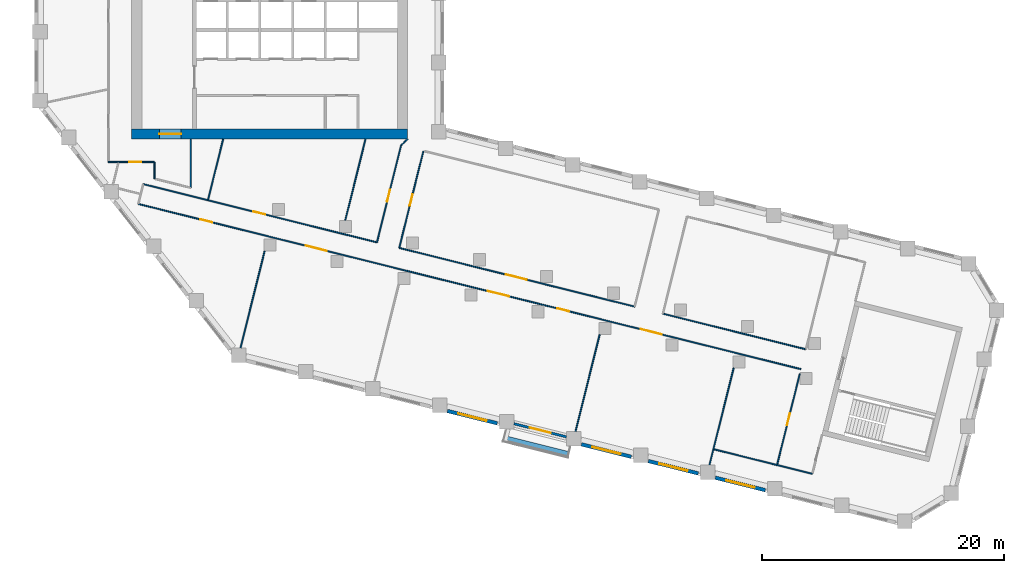
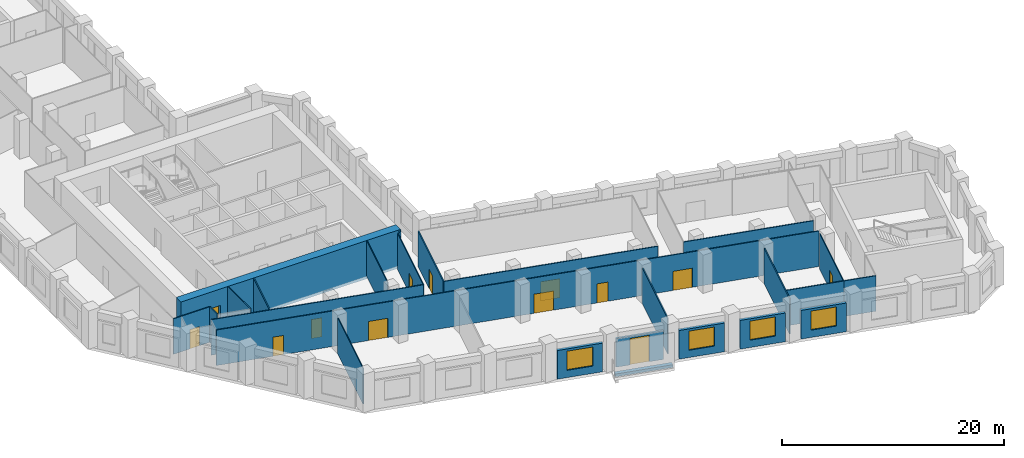
# One storey, part 3 of 10: 25 walls, 13 doors, 4 windows, 17 openings.
"""IFC4 building model written with IfcOpenShell, lengths in metres."""

from ifc_helpers import new_model, si_unit, direction, frame, frame_2d, origin, place, context, subcontext, project, spatial, rectangle, extrude, material, layer, layer_set, type_object, element, fill, save


model = new_model("IFC4")

# Units and contexts
model_context = context("Model", 3, precision=1e-05, world=origin(), true_north=direction((0.0, 1.0)))
body_context = subcontext(model_context, "Body", "Model", "MODEL_VIEW")
ifc_project = project(units=[si_unit("LENGTHUNIT", "METRE"), si_unit("AREAUNIT", "SQUARE_METRE"), si_unit("VOLUMEUNIT", "CUBIC_METRE"), si_unit("PLANEANGLEUNIT", "RADIAN"), si_unit("MASSUNIT", "GRAM", prefix="KILO")], contexts=[model_context])

# Site, building, storey
site_placement = place(None, origin())
site = spatial("IfcSite", under=ifc_project, at=site_placement, CompositionType="ELEMENT")
building_placement = place(site_placement, origin())
building = spatial("IfcBuilding", under=site, at=building_placement, Name="Meshkara Civic Tower", CompositionType="ELEMENT")
storey_placement = place(building_placement, frame((0.0, 0.0, 182.39990234375)))
storey = spatial("IfcBuildingStorey", under=building, at=storey_placement, Name="L41", CompositionType="ELEMENT", Elevation=182.39990234375)

# Wall, opening, door
ifc_material_1 = material(Name="Concrete C70", Category="concrete")
ifc_layer_1 = layer(ifc_material_1, 0.85009765625)
ifc_layer_set_1 = layer_set([ifc_layer_1], Name="Core ring wall 850 C70")
wall_type_1 = type_object("IfcWallType", Name="Core ring wall 850 C70", PredefinedType="SHEAR", material=ifc_layer_set_1)
wall_1_placement = place(storey_placement, frame((8.0, 14.52490234375, -0.2998046875), z_axis=(0.0, 0.0, 1.0), x_axis=(1.0, 0.0, 0.0)))
wall_1 = element("IfcWall", 1, at=wall_1_placement, inside=storey, type_object=wall_type_1, Name="L41-C001", PredefinedType="SHEAR", context=body_context, shape_type="SweptSolid", body=[
    extrude(rectangle(XDim=22.800048828125, YDim=0.85009765625, at=frame_2d((11.39990234375, 0.0))), origin(), (0.0, 0.0, 1.0), 4.199951171875),
])
opening_1_placement = place(wall_1_placement, frame((2.300048828125, 0.0, 0.300048828125)))
opening_1 = element("IfcOpeningElement", 2, at=opening_1_placement, cuts=wall_1, Name="Opening L41-K020", PredefinedType="OPENING", context=body_context, shape_type="SweptSolid", body=[
    extrude(rectangle(XDim=1.800048828125, YDim=2.10009765625, at=frame_2d((0.89990234375, 1.050048828125))), frame((0.0, 0.43505859375, 0.0), z_axis=(0.0, -1.0, 0.0), x_axis=(1.0, 0.0, 0.0)), (0.0, 0.0, 1.0), 0.8701171875),
])
ifc_material_2 = material(Name="Fire-rated door leaf in steel frame", Category="steel")
door_type_1 = type_object("IfcDoorType", Name="Core double door 1800 EI 60", OperationType="DOUBLE_DOOR_SINGLE_SWING", PredefinedType="DOOR", material=ifc_material_2)
door_1_placement = place(opening_1_placement, origin())
door_1 = element("IfcDoor", 3, at=door_1_placement, inside=storey, type_object=door_type_1, Name="L41-K020", OperationType="DOUBLE_DOOR_SINGLE_SWING", OverallHeight=2.10009765625, OverallWidth=1.800048828125, PredefinedType="DOOR", context=body_context, shape_type="SweptSolid", body=[
    extrude(rectangle(XDim=1.800048828125, YDim=2.10009765625, at=frame_2d((0.89990234375, 1.050048828125))), frame((0.0, 0.02490234375, 0.0), z_axis=(0.0, -1.0, 0.0), x_axis=(1.0, 0.0, 0.0)), (0.0, 0.0, 1.0), 0.050048828125),
])
fill(opening_1, door_1)

ifc_material_3 = material(Name="Corridor wall 100")
ifc_layer_2 = layer(ifc_material_3, 0.10009765625)
ifc_layer_set_2 = layer_set([ifc_layer_2], Name="Corridor wall 100")
wall_type_2 = type_object("IfcWallType", Name="Corridor wall 100", PredefinedType="PARTITIONING", material=ifc_layer_set_2)
wall_2_placement = place(storey_placement, frame((6.10009765625, 12.199951171875, 0.0), z_axis=(0.0, 0.0, 1.0), x_axis=(1.0, 0.0, 0.0)))
wall_2 = element("IfcWall", 4, at=wall_2_placement, inside=storey, type_object=wall_type_2, Name="L41-W005", PredefinedType="PARTITIONING", context=body_context, shape_type="SweptSolid", body=[
    extrude(rectangle(XDim=3.7998046875, YDim=0.10009765625, at=frame_2d((1.89990234375, 0.0))), origin(), (0.0, 0.0, 1.0), 3.900146484375),
])
opening_2_placement = place(wall_2_placement, frame((1.701904296875, 0.0, 0.0)))
opening_2 = element("IfcOpeningElement", 5, at=opening_2_placement, cuts=wall_2, Name="Opening L41-D015", PredefinedType="OPENING", context=body_context, shape_type="SweptSolid", body=[
    extrude(rectangle(XDim=1.0, YDim=2.10009765625, at=frame_2d((0.5, 1.050048828125))), frame((0.0, 0.06005859375, 0.0), z_axis=(0.0, -1.0, 0.0), x_axis=(1.0, 0.0, 0.0)), (0.0, 0.0, 1.0), 0.1201171875),
])
ifc_material_4 = material(Name="Door 1000 x 2100")
door_type_2 = type_object("IfcDoorType", Name="Door 1000 x 2100", OperationType="SINGLE_SWING_LEFT", PredefinedType="DOOR", material=ifc_material_4)
door_2_placement = place(opening_2_placement, origin())
door_2 = element("IfcDoor", 6, at=door_2_placement, inside=storey, type_object=door_type_2, Name="L41-D015", OperationType="SINGLE_SWING_RIGHT", OverallHeight=2.10009765625, OverallWidth=1.0, PredefinedType="DOOR", context=body_context, shape_type="SweptSolid", body=[
    extrude(rectangle(XDim=1.0, YDim=2.10009765625, at=frame_2d((0.5, 1.050048828125))), frame((0.0, 0.02490234375, 0.0), z_axis=(0.0, -1.0, 0.0), x_axis=(1.0, 0.0, 0.0)), (0.0, 0.0, 1.0), 0.050048828125),
])
fill(opening_2, door_2)

# Wall, openings, doors
wall_3_placement = place(storey_placement, frame((8.56494140625, 8.743896484375, 0.0), z_axis=(0.0, 0.0, 1.0), x_axis=(0.97029693432, -0.24191705035, 0.0)))
wall_3 = element("IfcWall", 7, at=wall_3_placement, inside=storey, type_object=wall_type_2, Name="L41-W006", PredefinedType="PARTITIONING", context=body_context, shape_type="SweptSolid", body=[
    extrude(rectangle(XDim=56.37451171875, YDim=0.10009765625, at=frame_2d((28.187255859375, 0.0))), origin(), (0.0, 0.0, 1.0), 3.900146484375),
])
opening_3_placement = place(wall_3_placement, frame((42.739013671875, 0.0, 0.0)))
opening_3 = element("IfcOpeningElement", 8, at=opening_3_placement, cuts=wall_3, Name="Opening L41-D003", PredefinedType="OPENING", context=body_context, shape_type="SweptSolid", body=[
    extrude(rectangle(XDim=1.800048828125, YDim=2.10009765625, at=frame_2d((0.89990234375, 1.050048828125))), frame((0.0, 0.06005859375, 0.0), z_axis=(0.0, -1.0, 0.0), x_axis=(1.0, 0.0, 0.0)), (0.0, 0.0, 1.0), 0.1201171875),
])
opening_4_placement = place(wall_3_placement, frame((14.239013671875, 0.0, 0.0)))
opening_4 = element("IfcOpeningElement", 9, at=opening_4_placement, cuts=wall_3, Name="Opening L41-D004", PredefinedType="OPENING", context=body_context, shape_type="SweptSolid", body=[
    extrude(rectangle(XDim=1.800048828125, YDim=2.10009765625, at=frame_2d((0.89990234375, 1.050048828125))), frame((0.0, 0.06005859375, 0.0), z_axis=(0.0, -1.0, 0.0), x_axis=(1.0, 0.0, 0.0)), (0.0, 0.0, 1.0), 0.1201171875),
])
opening_5_placement = place(wall_3_placement, frame((29.739990234375, 0.0, 0.0)))
opening_5 = element("IfcOpeningElement", 10, at=opening_5_placement, cuts=wall_3, Name="Opening L41-D005", PredefinedType="OPENING", context=body_context, shape_type="SweptSolid", body=[
    extrude(rectangle(XDim=1.800048828125, YDim=2.10009765625, at=frame_2d((0.89990234375, 1.050048828125))), frame((0.0, 0.06005859375, 0.0), z_axis=(0.0, -1.0, 0.0), x_axis=(1.0, 0.0, 0.0)), (0.0, 0.0, 1.0), 0.1201171875),
])
opening_6_placement = place(wall_3_placement, frame((35.639892578125, 0.0, 0.0)))
opening_6 = element("IfcOpeningElement", 11, at=opening_6_placement, cuts=wall_3, Name="Opening L41-D007", PredefinedType="OPENING", context=body_context, shape_type="SweptSolid", body=[
    extrude(rectangle(XDim=1.0, YDim=2.10009765625, at=frame_2d((0.5, 1.050048828125))), frame((0.0, 0.06005859375, 0.0), z_axis=(0.0, -1.0, 0.0), x_axis=(1.0, 0.0, 0.0)), (0.0, 0.0, 1.0), 0.1201171875),
])
opening_7_placement = place(wall_3_placement, frame((5.280029296875, 0.0, 0.0)))
opening_7 = element("IfcOpeningElement", 12, at=opening_7_placement, cuts=wall_3, Name="Opening L41-D009", PredefinedType="OPENING", context=body_context, shape_type="SweptSolid", body=[
    extrude(rectangle(XDim=1.0, YDim=2.10009765625, at=frame_2d((0.5, 1.050048828125))), frame((0.0, 0.06005859375, 0.0), z_axis=(0.0, -1.0, 0.0), x_axis=(1.0, 0.0, 0.0)), (0.0, 0.0, 1.0), 0.1201171875),
])
door_3_placement = place(opening_6_placement, origin())
door_3 = element("IfcDoor", 13, at=door_3_placement, inside=storey, type_object=door_type_2, Name="L41-D007", OperationType="SINGLE_SWING_LEFT", OverallHeight=2.10009765625, OverallWidth=1.0, PredefinedType="DOOR", context=body_context, shape_type="SweptSolid", body=[
    extrude(rectangle(XDim=1.0, YDim=2.10009765625, at=frame_2d((0.5, 1.050048828125))), frame((0.0, 0.02490234375, 0.0), z_axis=(0.0, -1.0, 0.0), x_axis=(1.0, 0.0, 0.0)), (0.0, 0.0, 1.0), 0.050048828125),
])
fill(opening_6, door_3)
door_4_placement = place(opening_7_placement, origin())
door_4 = element("IfcDoor", 14, at=door_4_placement, inside=storey, type_object=door_type_2, Name="L41-D009", OperationType="SINGLE_SWING_LEFT", OverallHeight=2.10009765625, OverallWidth=1.0, PredefinedType="DOOR", context=body_context, shape_type="SweptSolid", body=[
    extrude(rectangle(XDim=1.0, YDim=2.10009765625, at=frame_2d((0.5, 1.050048828125))), frame((0.0, 0.02490234375, 0.0), z_axis=(0.0, -1.0, 0.0), x_axis=(1.0, 0.0, 0.0)), (0.0, 0.0, 1.0), 0.050048828125),
])
fill(opening_7, door_4)
ifc_material_5 = material(Name="Door pair 1800 x 2100")
door_type_3 = type_object("IfcDoorType", Name="Door pair 1800 x 2100", OperationType="SINGLE_SWING_LEFT", PredefinedType="DOOR", material=ifc_material_5)
door_5_placement = place(opening_3_placement, origin())
door_5 = element("IfcDoor", 15, at=door_5_placement, inside=storey, type_object=door_type_3, Name="L41-D003", OperationType="DOUBLE_DOOR_SINGLE_SWING", OverallHeight=2.10009765625, OverallWidth=1.800048828125, PredefinedType="DOOR", context=body_context, shape_type="SweptSolid", body=[
    extrude(rectangle(XDim=1.800048828125, YDim=2.10009765625, at=frame_2d((0.89990234375, 1.050048828125))), frame((0.0, 0.02490234375, 0.0), z_axis=(0.0, -1.0, 0.0), x_axis=(1.0, 0.0, 0.0)), (0.0, 0.0, 1.0), 0.050048828125),
])
fill(opening_3, door_5)
door_6_placement = place(opening_4_placement, origin())
door_6 = element("IfcDoor", 16, at=door_6_placement, inside=storey, type_object=door_type_3, Name="L41-D004", OperationType="DOUBLE_DOOR_SINGLE_SWING", OverallHeight=2.10009765625, OverallWidth=1.800048828125, PredefinedType="DOOR", context=body_context, shape_type="SweptSolid", body=[
    extrude(rectangle(XDim=1.800048828125, YDim=2.10009765625, at=frame_2d((0.89990234375, 1.050048828125))), frame((0.0, 0.02490234375, 0.0), z_axis=(0.0, -1.0, 0.0), x_axis=(1.0, 0.0, 0.0)), (0.0, 0.0, 1.0), 0.050048828125),
])
fill(opening_4, door_6)
door_7_placement = place(opening_5_placement, origin())
door_7 = element("IfcDoor", 17, at=door_7_placement, inside=storey, type_object=door_type_3, Name="L41-D005", OperationType="DOUBLE_DOOR_SINGLE_SWING", OverallHeight=2.10009765625, OverallWidth=1.800048828125, PredefinedType="DOOR", context=body_context, shape_type="SweptSolid", body=[
    extrude(rectangle(XDim=1.800048828125, YDim=2.10009765625, at=frame_2d((0.89990234375, 1.050048828125))), frame((0.0, 0.02490234375, 0.0), z_axis=(0.0, -1.0, 0.0), x_axis=(1.0, 0.0, 0.0)), (0.0, 0.0, 1.0), 0.050048828125),
])
fill(opening_5, door_7)

# Wall, opening, door
wall_4_placement = place(storey_placement, frame((8.972900390625, 10.382080078125, 0.0), z_axis=(0.0, 0.0, 1.0), x_axis=(0.970286808807, -0.241957658808, 0.0)))
wall_4 = element("IfcWall", 18, at=wall_4_placement, inside=storey, type_object=wall_type_2, Name="L41-W007", PredefinedType="PARTITIONING", context=body_context, shape_type="SweptSolid", body=[
    extrude(rectangle(XDim=19.879638671875, YDim=0.10009765625, at=frame_2d((9.93994140625, 0.0))), origin(), (0.0, 0.0, 1.0), 3.900146484375),
])
opening_8_placement = place(wall_4_placement, frame((9.384033203125, 0.0, 0.0)))
opening_8 = element("IfcOpeningElement", 19, at=opening_8_placement, cuts=wall_4, Name="Opening L41-D010", PredefinedType="OPENING", context=body_context, shape_type="SweptSolid", body=[
    extrude(rectangle(XDim=1.0, YDim=2.10009765625, at=frame_2d((0.5, 1.050048828125))), frame((0.0, 0.06005859375, 0.0), z_axis=(0.0, -1.0, 0.0), x_axis=(1.0, 0.0, 0.0)), (0.0, 0.0, 1.0), 0.1201171875),
])
door_8_placement = place(opening_8_placement, origin())
door_8 = element("IfcDoor", 20, at=door_8_placement, inside=storey, type_object=door_type_2, Name="L41-D010", OperationType="SINGLE_SWING_LEFT", OverallHeight=2.10009765625, OverallWidth=1.0, PredefinedType="DOOR", context=body_context, shape_type="SweptSolid", body=[
    extrude(rectangle(XDim=1.0, YDim=2.10009765625, at=frame_2d((0.5, 1.050048828125))), frame((0.0, 0.02490234375, 0.0), z_axis=(0.0, -1.0, 0.0), x_axis=(1.0, 0.0, 0.0)), (0.0, 0.0, 1.0), 0.050048828125),
])
fill(opening_8, door_8)

# Walls
wall_5_placement = place(storey_placement, frame((9.89990234375, 12.199951171875, 0.0), z_axis=(0.0, 0.0, 1.0), x_axis=(0.0, -1.0, 0.0)))
element("IfcWall", 21, at=wall_5_placement, inside=storey, type_object=wall_type_2, Name="L41-W010", PredefinedType="PARTITIONING", context=body_context, shape_type="SweptSolid", body=[
    extrude(rectangle(XDim=1.3740234375, YDim=0.10009765625, at=frame_2d((0.68701171875, 0.0))), origin(), (0.0, 0.0, 1.0), 3.900146484375),
])
wall_6_placement = place(storey_placement, frame((12.89990234375, 10.077880859375, 0.0), z_axis=(0.0, 0.0, 1.0), x_axis=(0.0, 1.0, 0.0)))
element("IfcWall", 22, at=wall_6_placement, inside=storey, type_object=wall_type_2, Name="L41-W016", PredefinedType="PARTITIONING", context=body_context, shape_type="SweptSolid", body=[
    extrude(rectangle(XDim=4.022216796875, YDim=0.10009765625, at=frame_2d((2.01123046875, 0.0))), origin(), (0.0, 0.0, 1.0), 3.900146484375),
])

# Wall, opening, door
wall_7_placement = place(storey_placement, frame((30.10498046875, 5.113037109375, 0.0), z_axis=(0.0, 0.0, 1.0), x_axis=(0.241984285369, 0.970280168629, 0.0)))
wall_7 = element("IfcWall", 23, at=wall_7_placement, inside=storey, type_object=wall_type_2, Name="L41-W026", PredefinedType="PARTITIONING", context=body_context, shape_type="SweptSolid", body=[
    extrude(rectangle(XDim=8.231689453125, YDim=0.10009765625, at=frame_2d((4.11572265625, 0.0))), origin(), (0.0, 0.0, 1.0), 3.900146484375),
])
opening_9_placement = place(wall_7_placement, frame((3.580078125, 0.0, 0.0)))
opening_9 = element("IfcOpeningElement", 24, at=opening_9_placement, cuts=wall_7, Name="Opening L41-D012", PredefinedType="OPENING", context=body_context, shape_type="SweptSolid", body=[
    extrude(rectangle(XDim=1.0, YDim=2.10009765625, at=frame_2d((0.5, 1.050048828125))), frame((0.0, 0.06005859375, 0.0), z_axis=(0.0, -1.0, 0.0), x_axis=(1.0, 0.0, 0.0)), (0.0, 0.0, 1.0), 0.1201171875),
])
door_9_placement = place(opening_9_placement, origin())
door_9 = element("IfcDoor", 25, at=door_9_placement, inside=storey, type_object=door_type_2, Name="L41-D012", OperationType="SINGLE_SWING_RIGHT", OverallHeight=2.10009765625, OverallWidth=1.0, PredefinedType="DOOR", context=body_context, shape_type="SweptSolid", body=[
    extrude(rectangle(XDim=1.0, YDim=2.10009765625, at=frame_2d((0.5, 1.050048828125))), frame((0.0, 0.02490234375, 0.0), z_axis=(0.0, -1.0, 0.0), x_axis=(1.0, 0.0, 0.0)), (0.0, 0.0, 1.0), 0.050048828125),
])
fill(opening_9, door_9)

wall_8_placement = place(storey_placement, frame((30.259033203125, 13.5830078125, 0.0), z_axis=(0.0, 0.0, 1.0), x_axis=(-0.241888494143, -0.970304053584, 0.0)))
wall_8 = element("IfcWall", 26, at=wall_8_placement, inside=storey, type_object=wall_type_2, Name="L41-W027", PredefinedType="PARTITIONING", context=body_context, shape_type="SweptSolid", body=[
    extrude(rectangle(XDim=8.256103515625, YDim=0.10009765625, at=frame_2d((4.1279296875, 0.0))), origin(), (0.0, 0.0, 1.0), 3.900146484375),
])
opening_10_placement = place(wall_8_placement, frame((3.780029296875, 0.0, 0.0)))
opening_10 = element("IfcOpeningElement", 27, at=opening_10_placement, cuts=wall_8, Name="Opening L41-D011", PredefinedType="OPENING", context=body_context, shape_type="SweptSolid", body=[
    extrude(rectangle(XDim=1.0, YDim=2.10009765625, at=frame_2d((0.5, 1.050048828125))), frame((0.0, 0.06005859375, 0.0), z_axis=(0.0, -1.0, 0.0), x_axis=(1.0, 0.0, 0.0)), (0.0, 0.0, 1.0), 0.1201171875),
])
door_10_placement = place(opening_10_placement, origin())
door_10 = element("IfcDoor", 28, at=door_10_placement, inside=storey, type_object=door_type_2, Name="L41-D011", OperationType="SINGLE_SWING_LEFT", OverallHeight=2.10009765625, OverallWidth=1.0, PredefinedType="DOOR", context=body_context, shape_type="SweptSolid", body=[
    extrude(rectangle(XDim=1.0, YDim=2.10009765625, at=frame_2d((0.5, 1.050048828125))), frame((0.0, 0.02490234375, 0.0), z_axis=(0.0, -1.0, 0.0), x_axis=(1.0, 0.0, 0.0)), (0.0, 0.0, 1.0), 0.050048828125),
])
fill(opening_10, door_10)

# Wall
wall_9_placement = place(storey_placement, frame((30.800048828125, 14.10009765625, 0.0), z_axis=(0.0, 0.0, 1.0), x_axis=(-0.722911025189, -0.690941133281, 0.0)))
element("IfcWall", 29, at=wall_9_placement, inside=storey, type_object=wall_type_2, Name="L41-W028", PredefinedType="PARTITIONING", context=body_context, shape_type="SweptSolid", body=[
    extrude(rectangle(XDim=0.748291015625, YDim=0.10009765625, at=frame_2d((0.3740234375, 0.0))), origin(), (0.0, 0.0, 1.0), 3.900146484375),
])

# Wall, opening, door
wall_10_placement = place(storey_placement, frame((49.535888671875, 0.26806640625, 0.0), z_axis=(0.0, 0.0, 1.0), x_axis=(-0.970292195994, 0.241936054348, 0.0)))
wall_10 = element("IfcWall", 30, at=wall_10_placement, inside=storey, type_object=wall_type_2, Name="L41-W030", PredefinedType="PARTITIONING", context=body_context, shape_type="SweptSolid", body=[
    extrude(rectangle(XDim=20.02587890625, YDim=0.10009765625, at=frame_2d((10.012939453125, 0.0))), origin(), (0.0, 0.0, 1.0), 3.900146484375),
])
opening_11_placement = place(wall_10_placement, frame((9.179931640625, 0.0, 0.0)))
opening_11 = element("IfcOpeningElement", 31, at=opening_11_placement, cuts=wall_10, Name="Opening L41-D006", PredefinedType="OPENING", context=body_context, shape_type="SweptSolid", body=[
    extrude(rectangle(XDim=1.800048828125, YDim=2.10009765625, at=frame_2d((0.89990234375, 1.050048828125))), frame((0.0, 0.06005859375, 0.0), z_axis=(0.0, -1.0, 0.0), x_axis=(1.0, 0.0, 0.0)), (0.0, 0.0, 1.0), 0.1201171875),
])
door_11_placement = place(opening_11_placement, origin())
door_11 = element("IfcDoor", 32, at=door_11_placement, inside=storey, type_object=door_type_3, Name="L41-D006", OperationType="DOUBLE_DOOR_SINGLE_SWING", OverallHeight=2.10009765625, OverallWidth=1.800048828125, PredefinedType="DOOR", context=body_context, shape_type="SweptSolid", body=[
    extrude(rectangle(XDim=1.800048828125, YDim=2.10009765625, at=frame_2d((0.89990234375, 1.050048828125))), frame((0.0, 0.02490234375, 0.0), z_axis=(0.0, -1.0, 0.0), x_axis=(1.0, 0.0, 0.0)), (0.0, 0.0, 1.0), 0.050048828125),
])
fill(opening_11, door_11)

# Wall
wall_11_placement = place(storey_placement, frame((61.2919921875, -12.80810546875, 0.0), z_axis=(0.0, 0.0, 1.0), x_axis=(0.970290716908, -0.241941986192, 0.0)))
element("IfcWall", 33, at=wall_11_placement, inside=storey, type_object=wall_type_2, Name="L41-W034", PredefinedType="PARTITIONING", context=body_context, shape_type="SweptSolid", body=[
    extrude(rectangle(XDim=3.0, YDim=0.10009765625, at=frame_2d((1.5, 0.0))), origin(), (0.0, 0.0, 1.0), 3.900146484375),
])

# Wall, opening, door
wall_12_placement = place(storey_placement, frame((63.1689453125, -5.279052734375, 0.0), z_axis=(0.0, 0.0, 1.0), x_axis=(-0.241891494948, -0.970303305504, 0.0)))
wall_12 = element("IfcWall", 34, at=wall_12_placement, inside=storey, type_object=wall_type_2, Name="L41-W035", PredefinedType="PARTITIONING", context=body_context, shape_type="SweptSolid", body=[
    extrude(rectangle(XDim=7.759521484375, YDim=0.10009765625, at=frame_2d((3.8798828125, 0.0))), origin(), (0.0, 0.0, 1.0), 3.900146484375),
])
opening_12_placement = place(wall_12_placement, frame((3.3798828125, 0.0, 0.0)))
opening_12 = element("IfcOpeningElement", 35, at=opening_12_placement, cuts=wall_12, Name="Opening L41-D001", PredefinedType="OPENING", context=body_context, shape_type="SweptSolid", body=[
    extrude(rectangle(XDim=1.0, YDim=2.10009765625, at=frame_2d((0.5, 1.050048828125))), frame((0.0, 0.06005859375, 0.0), z_axis=(0.0, -1.0, 0.0), x_axis=(1.0, 0.0, 0.0)), (0.0, 0.0, 1.0), 0.1201171875),
])
door_12_placement = place(opening_12_placement, origin())
door_12 = element("IfcDoor", 36, at=door_12_placement, inside=storey, type_object=door_type_2, Name="L41-D001", OperationType="SINGLE_SWING_LEFT", OverallHeight=2.10009765625, OverallWidth=1.0, PredefinedType="DOOR", context=body_context, shape_type="SweptSolid", body=[
    extrude(rectangle(XDim=1.0, YDim=2.10009765625, at=frame_2d((0.5, 1.050048828125))), frame((0.0, 0.02490234375, 0.0), z_axis=(0.0, -1.0, 0.0), x_axis=(1.0, 0.0, 0.0)), (0.0, 0.0, 1.0), 0.050048828125),
])
fill(opening_12, door_12)

# Wall
wall_13_placement = place(storey_placement, frame((63.674072265625, -3.257080078125, 0.0), z_axis=(0.0, 0.0, 1.0), x_axis=(-0.970300413684, 0.241903094658, 0.0)))
element("IfcWall", 37, at=wall_13_placement, inside=storey, type_object=wall_type_2, Name="L41-W036", PredefinedType="PARTITIONING", context=body_context, shape_type="SweptSolid", body=[
    extrude(rectangle(XDim=12.170654296875, YDim=0.10009765625, at=frame_2d((6.08544921875, 0.0))), origin(), (0.0, 0.0, 1.0), 3.900146484375),
])

# Wall, opening, window
ifc_material_6 = material(Name="Insulated infill panel with bronze anodised aluminium cladding", Category="aluminium")
ifc_layer_3 = layer(ifc_material_6, 0.300048828125)
ifc_layer_set_3 = layer_set([ifc_layer_3], Name="EXTERNAL INFILL WALL 300")
wall_type_3 = type_object("IfcWallType", Name="EXTERNAL INFILL WALL 300", PredefinedType="SOLIDWALL", material=ifc_layer_set_3)
wall_14_placement = place(storey_placement, frame((34.075927734375, -8.342041015625, 0.0), z_axis=(0.0, 0.0, 1.0), x_axis=(0.970318118028, -0.241832069473, 0.0)))
wall_14 = element("IfcWall", 38, at=wall_14_placement, inside=storey, type_object=wall_type_3, Name="External wall", PredefinedType="SOLIDWALL", context=body_context, shape_type="SweptSolid", body=[
    extrude(rectangle(XDim=4.24609375, YDim=0.300048828125, at=frame_2d((2.123046875, 0.0))), origin(), (0.0, 0.0, 1.0), 3.150146484375),
])
opening_13_placement = place(wall_14_placement, frame((0.923095703125, 0.0, 0.800048828125)))
opening_13 = element("IfcOpeningElement", 39, at=opening_13_placement, cuts=wall_14, Name="Opening W7", PredefinedType="OPENING", context=body_context, shape_type="SweptSolid", body=[
    extrude(rectangle(XDim=2.39990234375, YDim=2.10009765625, at=frame_2d((1.199951171875, 1.050048828125))), frame((0.0, 0.159912109375, 0.0), z_axis=(0.0, -1.0, 0.0), x_axis=(1.0, 0.0, 0.0)), (0.0, 0.0, 1.0), 0.320068359375),
])
ifc_material_7 = material(Name="Tinted double glazing", Category="glass")
window_type = type_object("IfcWindowType", Name="WINDOW 2400x2100", PartitioningType="DOUBLE_PANEL_VERTICAL", PredefinedType="WINDOW", material=ifc_material_7)
window_1_placement = place(opening_13_placement, origin())
window_1 = element("IfcWindow", 40, at=window_1_placement, inside=storey, type_object=window_type, Name="Window", OverallHeight=2.10009765625, OverallWidth=2.39990234375, PartitioningType="DOUBLE_PANEL_VERTICAL", PredefinedType="WINDOW", context=body_context, shape_type="SweptSolid", body=[
    extrude(rectangle(XDim=2.39990234375, YDim=2.10009765625, at=frame_2d((1.199951171875, 1.050048828125))), frame((0.0, 0.030029296875, 0.0), z_axis=(0.0, -1.0, 0.0), x_axis=(1.0, 0.0, 0.0)), (0.0, 0.0, 1.0), 0.06005859375),
])
fill(opening_13, window_1)

wall_15_placement = place(storey_placement, frame((45.137939453125, -11.09912109375, 0.0), z_axis=(0.0, 0.0, 1.0), x_axis=(0.970304663212, -0.241886048688, 0.0)))
wall_15 = element("IfcWall", 41, at=wall_15_placement, inside=storey, type_object=wall_type_3, Name="External wall", PredefinedType="SOLIDWALL", context=body_context, shape_type="SweptSolid", body=[
    extrude(rectangle(XDim=4.2451171875, YDim=0.300048828125, at=frame_2d((2.12255859375, 0.0))), origin(), (0.0, 0.0, 1.0), 3.150146484375),
])
opening_14_placement = place(wall_15_placement, frame((0.922119140625, 0.0, 0.800048828125)))
opening_14 = element("IfcOpeningElement", 42, at=opening_14_placement, cuts=wall_15, Name="Opening W7", PredefinedType="OPENING", context=body_context, shape_type="SweptSolid", body=[
    extrude(rectangle(XDim=2.39990234375, YDim=2.10009765625, at=frame_2d((1.199951171875, 1.050048828125))), frame((0.0, 0.159912109375, 0.0), z_axis=(0.0, -1.0, 0.0), x_axis=(1.0, 0.0, 0.0)), (0.0, 0.0, 1.0), 0.320068359375),
])
window_2_placement = place(opening_14_placement, origin())
window_2 = element("IfcWindow", 43, at=window_2_placement, inside=storey, type_object=window_type, Name="Window", OverallHeight=2.10009765625, OverallWidth=2.39990234375, PartitioningType="DOUBLE_PANEL_VERTICAL", PredefinedType="WINDOW", context=body_context, shape_type="SweptSolid", body=[
    extrude(rectangle(XDim=2.39990234375, YDim=2.10009765625, at=frame_2d((1.199951171875, 1.050048828125))), frame((0.0, 0.030029296875, 0.0), z_axis=(0.0, -1.0, 0.0), x_axis=(1.0, 0.0, 0.0)), (0.0, 0.0, 1.0), 0.06005859375),
])
fill(opening_14, window_2)

wall_16_placement = place(storey_placement, frame((50.66796875, -12.47802734375, 0.0), z_axis=(0.0, 0.0, 1.0), x_axis=(0.970318118028, -0.241832069473, 0.0)))
wall_16 = element("IfcWall", 44, at=wall_16_placement, inside=storey, type_object=wall_type_3, Name="External wall", PredefinedType="SOLIDWALL", context=body_context, shape_type="SweptSolid", body=[
    extrude(rectangle(XDim=4.24609375, YDim=0.300048828125, at=frame_2d((2.123046875, 0.0))), origin(), (0.0, 0.0, 1.0), 3.150146484375),
])
opening_15_placement = place(wall_16_placement, frame((0.923095703125, 0.0, 0.800048828125)))
opening_15 = element("IfcOpeningElement", 45, at=opening_15_placement, cuts=wall_16, Name="Opening W7", PredefinedType="OPENING", context=body_context, shape_type="SweptSolid", body=[
    extrude(rectangle(XDim=2.39990234375, YDim=2.10009765625, at=frame_2d((1.199951171875, 1.050048828125))), frame((0.0, 0.159912109375, 0.0), z_axis=(0.0, -1.0, 0.0), x_axis=(1.0, 0.0, 0.0)), (0.0, 0.0, 1.0), 0.320068359375),
])
window_3_placement = place(opening_15_placement, origin())
window_3 = element("IfcWindow", 46, at=window_3_placement, inside=storey, type_object=window_type, Name="Window", OverallHeight=2.10009765625, OverallWidth=2.39990234375, PartitioningType="DOUBLE_PANEL_VERTICAL", PredefinedType="WINDOW", context=body_context, shape_type="SweptSolid", body=[
    extrude(rectangle(XDim=2.39990234375, YDim=2.10009765625, at=frame_2d((1.199951171875, 1.050048828125))), frame((0.0, 0.030029296875, 0.0), z_axis=(0.0, -1.0, 0.0), x_axis=(1.0, 0.0, 0.0)), (0.0, 0.0, 1.0), 0.06005859375),
])
fill(opening_15, window_3)

wall_17_placement = place(storey_placement, frame((56.198974609375, -13.85693359375, 0.0), z_axis=(0.0, 0.0, 1.0), x_axis=(0.97030462482, -0.241886202691, 0.0)))
wall_17 = element("IfcWall", 47, at=wall_17_placement, inside=storey, type_object=wall_type_3, Name="External wall", PredefinedType="SOLIDWALL", context=body_context, shape_type="SweptSolid", body=[
    extrude(rectangle(XDim=4.24609375, YDim=0.300048828125, at=frame_2d((2.123046875, 0.0))), origin(), (0.0, 0.0, 1.0), 3.150146484375),
])
opening_16_placement = place(wall_17_placement, frame((0.923095703125, 0.0, 0.800048828125)))
opening_16 = element("IfcOpeningElement", 48, at=opening_16_placement, cuts=wall_17, Name="Opening W7", PredefinedType="OPENING", context=body_context, shape_type="SweptSolid", body=[
    extrude(rectangle(XDim=2.39990234375, YDim=2.10009765625, at=frame_2d((1.199951171875, 1.050048828125))), frame((0.0, 0.159912109375, 0.0), z_axis=(0.0, -1.0, 0.0), x_axis=(1.0, 0.0, 0.0)), (0.0, 0.0, 1.0), 0.320068359375),
])
window_4_placement = place(opening_16_placement, origin())
window_4 = element("IfcWindow", 49, at=window_4_placement, inside=storey, type_object=window_type, Name="Window", OverallHeight=2.10009765625, OverallWidth=2.39990234375, PartitioningType="DOUBLE_PANEL_VERTICAL", PredefinedType="WINDOW", context=body_context, shape_type="SweptSolid", body=[
    extrude(rectangle(XDim=2.39990234375, YDim=2.10009765625, at=frame_2d((1.199951171875, 1.050048828125))), frame((0.0, 0.030029296875, 0.0), z_axis=(0.0, -1.0, 0.0), x_axis=(1.0, 0.0, 0.0)), (0.0, 0.0, 1.0), 0.06005859375),
])
fill(opening_16, window_4)

# Wall, opening, door
ifc_material_8 = material(Name="Insulated infill panel with bronze anodised aluminium cladding", Category="aluminium")
ifc_layer_4 = layer(ifc_material_8, 0.199951171875)
ifc_layer_set_4 = layer_set([ifc_layer_4], Name="LOGGIA BACK WALL 200")
wall_type_4 = type_object("IfcWallType", Name="LOGGIA BACK WALL 200", PredefinedType="SOLIDWALL", material=ifc_layer_set_4)
wall_18_placement = place(storey_placement, frame((39.573974609375, -9.403076171875, 0.0), z_axis=(0.0, 0.0, 1.0), x_axis=(0.970296737599, -0.241917839369, 0.0)))
wall_18 = element("IfcWall", 50, at=wall_18_placement, inside=storey, type_object=wall_type_4, Name="Loggia wall", PredefinedType="SOLIDWALL", context=body_context, shape_type="SweptSolid", body=[
    extrude(rectangle(XDim=4.463623046875, YDim=0.199951171875, at=frame_2d((2.23193359375, 0.0))), origin(), (0.0, 0.0, 1.0), 3.150146484375),
])
opening_17_placement = place(wall_18_placement, frame((1.3310546875, 0.0, 0.0)))
opening_17 = element("IfcOpeningElement", 51, at=opening_17_placement, cuts=wall_18, Name="Opening L41-L002", PredefinedType="OPENING", context=body_context, shape_type="SweptSolid", body=[
    extrude(rectangle(XDim=1.800048828125, YDim=2.89990234375, at=frame_2d((0.89990234375, 1.449951171875))), frame((0.0, 0.10986328125, 0.0), z_axis=(0.0, -1.0, 0.0), x_axis=(1.0, 0.0, 0.0)), (0.0, 0.0, 1.0), 0.219970703125),
])
ifc_material_9 = material(Name="Tinted double glazing", Category="glass")
door_type_4 = type_object("IfcDoorType", Name="LOGGIA DOOR 1800x2900", OperationType="DOUBLE_DOOR_SINGLE_SWING", PredefinedType="DOOR", material=ifc_material_9)
door_13_placement = place(opening_17_placement, origin())
door_13 = element("IfcDoor", 52, at=door_13_placement, inside=storey, type_object=door_type_4, Name="L41-L002", OperationType="DOUBLE_DOOR_SINGLE_SWING", OverallHeight=2.89990234375, OverallWidth=1.800048828125, PredefinedType="DOOR", context=body_context, shape_type="SweptSolid", body=[
    extrude(rectangle(XDim=1.800048828125, YDim=2.89990234375, at=frame_2d((0.89990234375, 1.449951171875))), frame((0.0, 0.02490234375, 0.0), z_axis=(0.0, -1.0, 0.0), x_axis=(1.0, 0.0, 0.0)), (0.0, 0.0, 1.0), 0.050048828125),
])
fill(opening_17, door_13)

# Walls
ifc_material_10 = material(Name="Concrete C40", Category="concrete")
ifc_layer_5 = layer(ifc_material_10, 0.39990234375)
ifc_layer_set_5 = layer_set([ifc_layer_5], Name="PLANTER TRAY")
wall_type_5 = type_object("IfcWallType", Name="PLANTER TRAY", PredefinedType="SOLIDWALL", material=ifc_layer_set_5)
wall_19_placement = place(storey_placement, frame((38.81689453125, -10.5849609375, 0.0), z_axis=(0.0, 0.0, 1.0), x_axis=(0.970281652924, -0.241978333739, 0.0)))
element("IfcWall", 53, at=wall_19_placement, inside=storey, type_object=wall_type_5, Name="Planter", PredefinedType="SOLIDWALL", context=body_context, shape_type="SweptSolid", body=[
    extrude(rectangle(XDim=5.360595703125, YDim=0.39990234375, at=frame_2d((2.68017578125, 0.0))), origin(), (0.0, 0.0, 1.0), 0.300048828125),
])
ifc_material_11 = material(Name="Partition 100")
ifc_layer_6 = layer(ifc_material_11, 0.10009765625)
ifc_layer_set_6 = layer_set([ifc_layer_6], Name="Partition 100")
wall_type_6 = type_object("IfcWallType", Name="Partition 100", PredefinedType="PARTITIONING", material=ifc_layer_set_6)
wall_20_placement = place(storey_placement, frame((14.324951171875, 9.09912109375, 0.0), z_axis=(0.0, 0.0, 1.0), x_axis=(0.241956019685, 0.970287217548, 0.0)))
element("IfcWall", 54, at=wall_20_placement, inside=storey, type_object=wall_type_6, Name="L41-W050", PredefinedType="PARTITIONING", context=body_context, shape_type="SweptSolid", body=[
    extrude(rectangle(XDim=5.154052734375, YDim=0.10009765625, at=frame_2d((2.5771484375, 0.0))), origin(), (0.0, 0.0, 1.0), 3.900146484375),
])
wall_21_placement = place(storey_placement, frame((17.0009765625, -3.137939453125, 0.0), z_axis=(0.0, 0.0, 1.0), x_axis=(0.241922303467, 0.970295624583, 0.0)))
element("IfcWall", 55, at=wall_21_placement, inside=storey, type_object=wall_type_6, Name="L41-W051", PredefinedType="PARTITIONING", context=body_context, shape_type="SweptSolid", body=[
    extrude(rectangle(XDim=8.242919921875, YDim=0.10009765625, at=frame_2d((4.12158203125, 0.0))), origin(), (0.0, 0.0, 1.0), 3.900146484375),
])
wall_22_placement = place(storey_placement, frame((25.64892578125, 7.39208984375, 0.0), z_axis=(0.0, 0.0, 1.0), x_axis=(0.241870819599, 0.970308459525, 0.0)))
element("IfcWall", 56, at=wall_22_placement, inside=storey, type_object=wall_type_6, Name="L41-W053", PredefinedType="PARTITIONING", context=body_context, shape_type="SweptSolid", body=[
    extrude(rectangle(XDim=6.913330078125, YDim=0.10009765625, at=frame_2d((3.45654296875, 0.0))), origin(), (0.0, 0.0, 1.0), 3.900146484375),
])
wall_23_placement = place(storey_placement, frame((44.655029296875, -10.031982421875, 0.0), z_axis=(0.0, 0.0, 1.0), x_axis=(0.241922228554, 0.970295643261, 0.0)))
element("IfcWall", 57, at=wall_23_placement, inside=storey, type_object=wall_type_6, Name="L41-W055", PredefinedType="PARTITIONING", context=body_context, shape_type="SweptSolid", body=[
    extrude(rectangle(XDim=8.241943359375, YDim=0.10009765625, at=frame_2d((4.12109375, 0.0))), origin(), (0.0, 0.0, 1.0), 3.900146484375),
])
wall_24_placement = place(storey_placement, frame((55.716064453125, -12.7900390625, 0.0), z_axis=(0.0, 0.0, 1.0), x_axis=(0.241894418317, 0.970302576719, 0.0)))
element("IfcWall", 58, at=wall_24_placement, inside=storey, type_object=wall_type_6, Name="L41-W056", PredefinedType="PARTITIONING", context=body_context, shape_type="SweptSolid", body=[
    extrude(rectangle(XDim=8.242919921875, YDim=0.10009765625, at=frame_2d((4.12158203125, 0.0))), origin(), (0.0, 0.0, 1.0), 3.900146484375),
])
wall_25_placement = place(storey_placement, frame((56.0869140625, -11.510009765625, 0.0), z_axis=(0.0, 0.0, 1.0), x_axis=(0.970281444431, -0.241979169751, 0.0)))
element("IfcWall", 59, at=wall_25_placement, inside=storey, type_object=wall_type_6, Name="L41-W057", PredefinedType="PARTITIONING", context=body_context, shape_type="SweptSolid", body=[
    extrude(rectangle(XDim=5.368408203125, YDim=0.10009765625, at=frame_2d((2.68408203125, 0.0))), origin(), (0.0, 0.0, 1.0), 3.900146484375),
])

save(model, "model.ifc")
